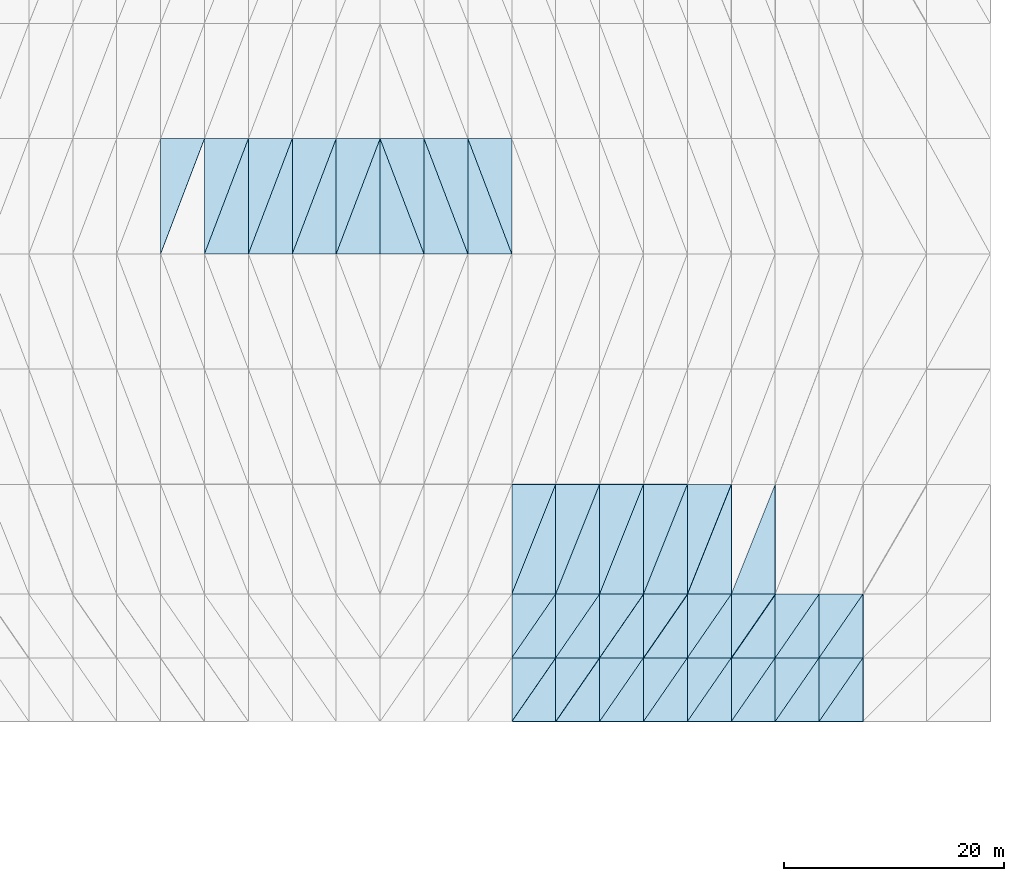
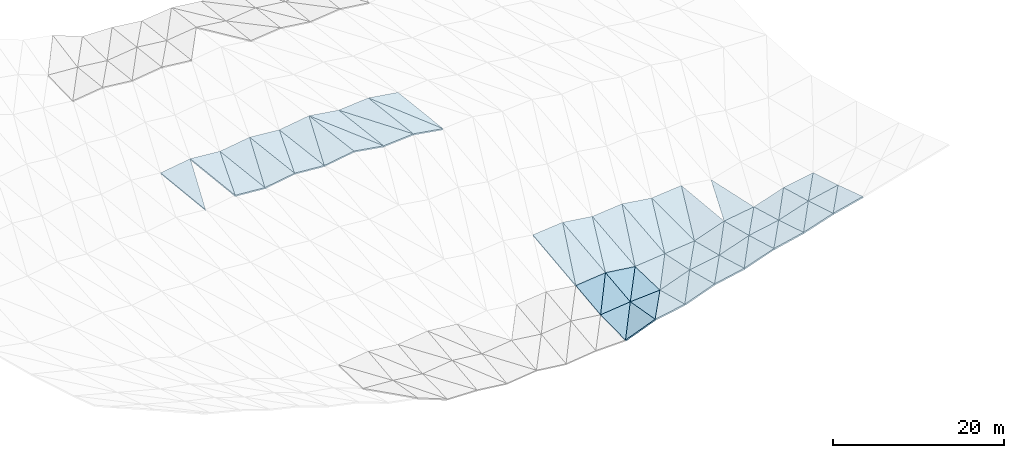
# One storey, part 27 of 42: 58 slabs, 3 elements without a shape of their own.
"""IFC4 building model written with IfcOpenShell, lengths in metres."""

from ifc_helpers import new_model, si_unit, direction, frame, origin, place, context, subcontext, project, spatial, polyline, outline, extrude, material, layer, layer_set, type_object, element, aggregate, save


model = new_model("IFC4")

# Units and contexts
model_context = context("Model", 3, precision=1e-05, world=origin(), true_north=direction((0.0, 1.0)))
body_context = subcontext(model_context, "Body", "Model", "MODEL_VIEW")
ifc_project = project(units=[si_unit("LENGTHUNIT", "METRE"), si_unit("AREAUNIT", "SQUARE_METRE"), si_unit("VOLUMEUNIT", "CUBIC_METRE"), si_unit("PLANEANGLEUNIT", "RADIAN"), si_unit("MASSUNIT", "GRAM", prefix="KILO")], contexts=[model_context])

# Site, building, storey
site_placement = place(None, origin())
site = spatial("IfcSite", under=ifc_project, at=site_placement, CompositionType="ELEMENT")
building_placement = place(site_placement, origin())
building = spatial("IfcBuilding", under=site, at=building_placement, Name="Khorjan Park Terminus", CompositionType="ELEMENT")
storey_placement = place(building_placement, frame((0.0, 0.0, 20.4)))
storey = spatial("IfcBuildingStorey", under=building, at=storey_placement, Name="L04", CompositionType="ELEMENT", Elevation=20.4)

# Roof, slabs
ifc_material = material(Name="Concrete C50/60", Category="concrete")
ifc_layer_1 = layer(ifc_material, 0.18)
ifc_layer_set_1 = layer_set([ifc_layer_1], Name="Concrete C50/60")
roof_type = type_object("IfcRoofType", Name="RF-SHELL-UPPER", PredefinedType="FREEFORM", material=ifc_layer_set_1)
roof_1_placement = place(storey_placement, origin())
roof_1 = element("IfcRoof", 1, at=roof_1_placement, inside=storey, type_object=roof_type, Name="Upper concourse upturned-corner folded concrete shell roof RF-CS1 (2)", PredefinedType="FREEFORM")
ifc_layer_2 = layer(ifc_material, 0.18)
ifc_layer_set_2 = layer_set([ifc_layer_2], Name="Concrete C50/60")
slab_type = type_object("IfcSlabType", Name="SL-SHL-180", PredefinedType="ROOF", material=ifc_layer_set_2)
slab_1_placement = place(storey_placement, frame((72.0, 57.0, 4.7065), z_axis=(-0.149595752016, 0.104473330219, 0.983212303753), x_axis=(0.355633328638, 0.933537487675, -0.045085415238)))
slab_1 = element("IfcSlab", 2, at=slab_1_placement, type_object=slab_type, Name="Upper concourse folded concrete shell facet RS-18 (172)", PredefinedType="ROOF", context=body_context, shape_type="SweptSolid", body=[
    extrude(outline(polyline([(0.0, 0.0), (11.24753974920738, -1.6653345369377348e-16), (9.852445418368871, 3.7979080778847525), (0.0, 0.0)])), origin(), (0.0, 0.0, -1.0), 0.18),
])
slab_2_placement = place(storey_placement, frame((76.0, 57.0, 5.3582), z_axis=(0.0748740157, 0.113395513215, 0.990724653653), x_axis=(0.997156385058, 0.0, -0.075360093801)))
slab_2 = element("IfcSlab", 3, at=slab_2_placement, type_object=slab_type, Name="Upper concourse folded concrete shell facet RS-18 (191)", PredefinedType="ROOF", context=body_context, shape_type="SweptSolid", body=[
    extrude(outline(polyline([(0.0, 0.0), (4.011406896588777, 0.0), (4.101974657318546, 10.56816543780028), (0.0, 0.0)])), origin(), (0.0, 0.0, -1.0), 0.18),
])
slab_3_placement = place(storey_placement, frame((76.0, 57.0, 5.3582), z_axis=(0.085489919992, 0.109294299545, 0.990326324838), x_axis=(0.352847963163, 0.926225903302, -0.132679655348)))
slab_3 = element("IfcSlab", 4, at=slab_3_placement, type_object=slab_type, Name="Upper concourse folded concrete shell facet RS-18 (192)", PredefinedType="ROOF", context=body_context, shape_type="SweptSolid", body=[
    extrude(outline(polyline([(0.0, 0.0), (11.336327306936758, 4.787836793695988e-16), (9.879121169293597, 3.741093738790182), (0.0, 0.0)])), origin(), (0.0, 0.0, -1.0), 0.18),
])
slab_4_placement = place(storey_placement, frame((80.0, 57.0, 5.0559), z_axis=(-0.159714927938, 0.116225908088, 0.980297240679), x_axis=(0.986986239924, 0.0, 0.16080473314)))
slab_4 = element("IfcSlab", 5, at=slab_4_placement, type_object=slab_type, Name="Upper concourse folded concrete shell facet RS-18 (211)", PredefinedType="ROOF", context=body_context, shape_type="SweptSolid", body=[
    extrude(outline(polyline([(0.0, 0.0), (4.052741404284266, 0.0), (3.852555591998697, 10.571646118299626), (0.0, 0.0)])), origin(), (0.0, 0.0, -1.0), 0.18),
])
slab_5_placement = place(storey_placement, frame((80.0, 57.0, 5.0559), z_axis=(-0.149465057084, 0.112437353867, 0.982353316361), x_axis=(0.355500244035, 0.933188140591, -0.05272068619)))
slab_5 = element("IfcSlab", 6, at=slab_5_placement, type_object=slab_type, Name="Upper concourse folded concrete shell facet RS-18 (212)", PredefinedType="ROOF", context=body_context, shape_type="SweptSolid", body=[
    extrude(outline(polyline([(0.0, 0.0), (11.251750363387911, 4.163336342344337e-17), (9.861835196865226, 3.7998065463744615), (0.0, 0.0)])), origin(), (0.0, 0.0, -1.0), 0.18),
])
slab_6_placement = place(storey_placement, frame((84.0, 57.0, 5.7076), z_axis=(0.074802671681, 0.121403665054, 0.989780637526), x_axis=(0.997156385058, 0.0, -0.075360093801)))
slab_6 = element("IfcSlab", 7, at=slab_6_placement, type_object=slab_type, Name="Upper concourse folded concrete shell facet RS-18 (231)", PredefinedType="ROOF", context=body_context, shape_type="SweptSolid", body=[
    extrude(outline(polyline([(0.0, 0.0), (4.0114068965887775, 0.0), (4.108463161394794, 10.578244962727132), (0.0, 0.0)])), origin(), (0.0, 0.0, -1.0), 0.18),
])
slab_7_placement = place(storey_placement, frame((84.0, 57.0, 5.7076), z_axis=(0.085411333623, 0.117307042022, 0.989415970146), x_axis=(0.352482785821, 0.925267312781, -0.140129531503)))
slab_7 = element("IfcSlab", 8, at=slab_7_placement, type_object=slab_type, Name="Upper concourse folded concrete shell facet RS-18 (232)", PredefinedType="ROOF", context=body_context, shape_type="SweptSolid", body=[
    extrude(outline(polyline([(0.0, 0.0), (11.348071908478552, 2.7755575615628914e-16), (9.889754037965623, 3.7406605136717026), (0.0, 0.0)])), origin(), (0.0, 0.0, -1.0), 0.18),
])
slab_8_placement = place(storey_placement, frame((88.0, 57.0, 5.4053), z_axis=(-0.159560773684, 0.124144407534, 0.979351073711), x_axis=(0.986986239924, 0.0, 0.16080473314)))
slab_8 = element("IfcSlab", 9, at=slab_8_placement, type_object=slab_type, Name="Upper concourse folded concrete shell facet RS-18 (251)", PredefinedType="ROOF", context=body_context, shape_type="SweptSolid", body=[
    extrude(outline(polyline([(0.0, 0.0), (4.052741404284266, 0.0), (3.8387103044753723, 10.581859557200454), (0.0, 0.0)])), origin(), (0.0, 0.0, -1.0), 0.18),
])
slab_9_placement = place(storey_placement, frame((88.0, 57.0, 5.4053), z_axis=(-0.149325031934, 0.120379768479, 0.981433006465), x_axis=(0.355346517476, 0.932784608375, -0.06034672233)))
slab_9 = element("IfcSlab", 10, at=slab_9_placement, type_object=slab_type, Name="Upper concourse folded concrete shell facet RS-18 (252)", PredefinedType="ROOF", context=body_context, shape_type="SweptSolid", body=[
    extrude(outline(polyline([(0.0, 0.0), (11.256617986322533, -7.077671781985373e-16), (9.871958931627898, 3.801725037696987), (0.0, 0.0)])), origin(), (0.0, 0.0, -1.0), 0.18),
])
slab_10_placement = place(storey_placement, frame((92.0, 57.0, 6.057), z_axis=(0.159560773684, 0.124144407534, 0.979351073711), x_axis=(0.986986239924, 0.0, -0.16080473314)))
slab_10 = element("IfcSlab", 11, at=slab_10_placement, type_object=slab_type, Name="Upper concourse folded concrete shell facet RS-18 (271)", PredefinedType="ROOF", context=body_context, shape_type="SweptSolid", body=[
    extrude(outline(polyline([(0.0, 0.0), (4.052741404284266, 0.0), (0.21403109980889376, 10.581859557200454), (0.0, 0.0)])), origin(), (0.0, 0.0, -1.0), 0.18),
])
slab_11_placement = place(storey_placement, frame((96.0, 57.0, 5.4053), z_axis=(0.149325031934, 0.120379768479, 0.981433006465), x_axis=(0.0, 0.992561441781, -0.121744750559)))
slab_11 = element("IfcSlab", 12, at=slab_11_placement, type_object=slab_type, Name="Upper concourse folded concrete shell facet RS-18 (272)", PredefinedType="ROOF", context=body_context, shape_type="SweptSolid", body=[
    extrude(outline(polyline([(0.0, 0.0), (10.578690202950458, -5.551115123125783e-17), (10.504596347760202, 4.045355863286079), (0.0, 0.0)])), origin(), (0.0, 0.0, -1.0), 0.18),
])
aggregate(roof_1, [slab_1, slab_2, slab_3, slab_4, slab_5, slab_6, slab_7, slab_8, slab_9, slab_10, slab_11])

roof_2_placement = place(storey_placement, origin())
roof_2 = element("IfcRoof", 13, at=roof_2_placement, inside=storey, type_object=roof_type, Name="Upper concourse upturned-corner folded concrete shell roof RF-CS1 (3)", PredefinedType="FREEFORM")
slab_12_placement = place(storey_placement, frame((96.0, 57.0, 5.4053), z_axis=(-0.074802671681, 0.121403665054, 0.989780637526), x_axis=(0.997156385058, 0.0, 0.075360093801)))
slab_12 = element("IfcSlab", 14, at=slab_12_placement, type_object=slab_type, Name="Upper concourse folded concrete shell facet RS-18 (291)", PredefinedType="ROOF", context=body_context, shape_type="SweptSolid", body=[
    extrude(outline(polyline([(0.0, 0.0), (4.0114068965887775, 0.0), (-0.09705626480601703, 10.578244962727132), (0.0, 0.0)])), origin(), (0.0, 0.0, -1.0), 0.18),
])
slab_13_placement = place(storey_placement, frame((100.0, 57.0, 5.7076), z_axis=(-0.085411333623, 0.117307042022, 0.989415970146), x_axis=(0.0, 0.99304477884, -0.117737280493)))
slab_13 = element("IfcSlab", 15, at=slab_13_placement, type_object=slab_type, Name="Upper concourse folded concrete shell facet RS-18 (292)", PredefinedType="ROOF", context=body_context, shape_type="SweptSolid", body=[
    extrude(outline(polyline([(0.0, 0.0), (10.573541318309585, 0.0), (10.61419600126388, 4.014670507869093), (0.0, 0.0)])), origin(), (0.0, 0.0, -1.0), 0.18),
])
slab_14_placement = place(storey_placement, frame((100.0, 57.0, 5.7076), z_axis=(0.159714927938, 0.116225908088, 0.980297240679), x_axis=(0.986986239924, 0.0, -0.16080473314)))
slab_14 = element("IfcSlab", 16, at=slab_14_placement, type_object=slab_type, Name="Upper concourse folded concrete shell facet RS-18 (311)", PredefinedType="ROOF", context=body_context, shape_type="SweptSolid", body=[
    extrude(outline(polyline([(0.0, 0.0), (4.052741404284266, 0.0), (0.2001858122855689, 10.571646118299626), (0.0, 0.0)])), origin(), (0.0, 0.0, -1.0), 0.18),
])
slab_15_placement = place(storey_placement, frame((104.0, 57.0, 5.0559), z_axis=(0.149465057084, 0.112437353867, 0.982353316361), x_axis=(0.0, 0.993513444635, -0.113714710263)))
slab_15 = element("IfcSlab", 17, at=slab_15_placement, type_object=slab_type, Name="Upper concourse folded concrete shell facet RS-18 (312)", PredefinedType="ROOF", context=body_context, shape_type="SweptSolid", body=[
    extrude(outline(polyline([(0.0, 0.0), (10.56855350745787, 0.0), (10.499346734791782, 4.045442421122459), (0.0, 0.0)])), origin(), (0.0, 0.0, -1.0), 0.18),
])
slab_16_placement = place(storey_placement, frame((104.0, 14.4, 0.7589), z_axis=(-0.360874271087, 0.163681902497, 0.918138331224), x_axis=(0.930690394254, 0.0, 0.365807859461)))
slab_16 = element("IfcSlab", 18, at=slab_16_placement, type_object=slab_type, Name="Upper concourse folded concrete shell facet RS-18 (321)", PredefinedType="ROOF", context=body_context, shape_type="SweptSolid", body=[
    extrude(outline(polyline([(0.0, 0.0), (4.29788469366036, 0.0), (3.9196393669772256, 5.879293024917398), (0.0, 0.0)])), origin(), (0.0, 0.0, -1.0), 0.18),
])
slab_17_placement = place(storey_placement, frame((104.0, 14.4, 0.7589), z_axis=(-0.112567782973, -0.014560461321, 0.993537360748), x_axis=(0.566083752706, 0.820821441423, 0.076166568927)))
slab_17 = element("IfcSlab", 19, at=slab_17_placement, type_object=slab_type, Name="Upper concourse folded concrete shell facet RS-18 (322)", PredefinedType="ROOF", context=body_context, shape_type="SweptSolid", body=[
    extrude(outline(polyline([(0.0, 0.0), (7.066092218475498, 0.0), (4.7672385186146995, 3.3046424778841526), (0.0, 0.0)])), origin(), (0.0, 0.0, -1.0), 0.18),
])
slab_18_placement = place(storey_placement, frame((104.0, 20.2, 0.8439), z_axis=(-0.111909060679, -0.108990167749, 0.987723395224), x_axis=(0.993642695952, 0.0, 0.112579717451)))
slab_18 = element("IfcSlab", 20, at=slab_18_placement, type_object=slab_type, Name="Upper concourse folded concrete shell facet RS-18 (323)", PredefinedType="ROOF", context=body_context, shape_type="SweptSolid", body=[
    extrude(outline(polyline([(0.0, 0.0), (4.025591911756581, 0.0), (4.097642930925445, 5.834758662587232), (0.0, 0.0)])), origin(), (0.0, 0.0, -1.0), 0.18),
])
slab_19_placement = place(storey_placement, frame((104.0, 20.2, 0.8439), z_axis=(-0.106052306747, -0.113064775579, 0.987911567276), x_axis=(0.5610198258, 0.81347874741, 0.153326718391)))
slab_19 = element("IfcSlab", 21, at=slab_19_placement, type_object=slab_type, Name="Upper concourse folded concrete shell facet RS-18 (324)", PredefinedType="ROOF", context=body_context, shape_type="SweptSolid", body=[
    extrude(outline(polyline([(0.0, 0.0), (7.129872806719626, 0.0), (4.819955010643627, 3.293731035675408), (0.0, 0.0)])), origin(), (0.0, 0.0, -1.0), 0.18),
])
slab_20_placement = place(storey_placement, frame((104.0, 26.0, 1.5077), z_axis=(-0.106099902811, -0.109074851181, 0.988354940021), x_axis=(0.994287316425, 0.0, 0.106736743418)))
slab_20 = element("IfcSlab", 22, at=slab_20_placement, type_object=slab_type, Name="Upper concourse folded concrete shell facet RS-18 (325)", PredefinedType="ROOF", context=body_context, shape_type="SweptSolid", body=[
    extrude(outline(polyline([(0.0, 0.0), (4.022982023325484, 6.938893903907228e-18), (4.140776693361886, 10.06002273236552), (0.0, 0.0)])), origin(), (0.0, 0.0, -1.0), 0.18),
])
slab_21_placement = place(storey_placement, frame((104.0, 26.0, 1.5077), z_axis=(-0.096024334606, -0.113192022029, 0.988922086573), x_axis=(0.367684817176, 0.919212042939, 0.140915206183)))
slab_21 = element("IfcSlab", 23, at=slab_21_placement, type_object=slab_type, Name="Upper concourse folded concrete shell facet RS-18 (326)", PredefinedType="ROOF", context=body_context, shape_type="SweptSolid", body=[
    extrude(outline(polyline([(0.0, 0.0), (10.87888270917561, 6.245004513516506e-16), (9.353411974391156, 3.718036255513949), (0.0, 0.0)])), origin(), (0.0, 0.0, -1.0), 0.18),
])
slab_22_placement = place(storey_placement, frame((108.0, 14.4, 2.3311), z_axis=(-0.177038961691, 0.248427917344, 0.952334382414), x_axis=(0.983155941904, 0.0, 0.1827686896)))
slab_22 = element("IfcSlab", 24, at=slab_22_placement, type_object=slab_type, Name="Upper concourse folded concrete shell facet RS-18 (341)", PredefinedType="ROOF", context=body_context, shape_type="SweptSolid", body=[
    extrude(outline(polyline([(0.0, 0.0), (4.0685305652041, -2.7755575615628914e-17), (3.792001537839265, 5.98771247614852), (0.0, 0.0)])), origin(), (0.0, 0.0, -1.0), 0.18),
])
slab_23_placement = place(storey_placement, frame((108.0, 14.4, 2.3311), z_axis=(-0.064985555279, 0.175137655168, 0.9823969052), x_axis=(0.564377717096, 0.818347689789, -0.108558053883)))
slab_23 = element("IfcSlab", 25, at=slab_23_placement, type_object=slab_type, Name="Upper concourse folded concrete shell facet RS-18 (342)", PredefinedType="ROOF", context=body_context, shape_type="SweptSolid", body=[
    extrude(outline(polyline([(0.0, 0.0), (7.087452035816538, -9.71445146547012e-17), (4.858665628490946, 3.3320450642992037), (0.0, 0.0)])), origin(), (0.0, 0.0, -1.0), 0.18),
])
slab_24_placement = place(storey_placement, frame((108.0, 20.2, 1.2971), z_axis=(-0.065984038894, 0.02564240154, 0.997491139737), x_axis=(0.9978192431, 0.0, 0.066005742931)))
slab_24 = element("IfcSlab", 26, at=slab_24_placement, type_object=slab_type, Name="Upper concourse folded concrete shell facet RS-18 (343)", PredefinedType="ROOF", context=body_context, shape_type="SweptSolid", body=[
    extrude(outline(polyline([(0.0, 0.0), (4.008742091978481, 0.0), (3.9989006357074612, 5.801907785869961), (0.0, 0.0)])), origin(), (0.0, 0.0, -1.0), 0.18),
])
slab_25_placement = place(storey_placement, frame((108.0, 20.2, 1.2971), z_axis=(0.129240848662, -0.108759269115, 0.985630876352), x_axis=(0.567656684919, 0.823102193133, 0.016391086777)))
slab_25 = element("IfcSlab", 27, at=slab_25_placement, type_object=slab_type, Name="Upper concourse folded concrete shell facet RS-18 (344)", PredefinedType="ROOF", context=body_context, shape_type="SweptSolid", body=[
    extrude(outline(polyline([(0.0, 0.0), (7.046512630372559, -9.367506770274758e-17), (4.784483015709504, 3.3404075009476477), (0.0, 0.0)])), origin(), (0.0, 0.0, -1.0), 0.18),
])
slab_26_placement = place(storey_placement, frame((108.0, 26.0, 1.9371), z_axis=(0.129296562472, -0.104768425264, 0.986055767186), x_axis=(0.9915124119, 0.0, -0.13001206501)))
slab_26 = element("IfcSlab", 28, at=slab_26_placement, type_object=slab_type, Name="Upper concourse folded concrete shell facet RS-18 (345)", PredefinedType="ROOF", context=body_context, shape_type="SweptSolid", body=[
    extrude(outline(polyline([(0.0, 0.0), (4.034240975697907, 6.938893903907228e-18), (3.896103156624372, 10.055338094412422), (0.0, 0.0)])), origin(), (0.0, 0.0, -1.0), 0.18),
])
slab_27_placement = place(storey_placement, frame((108.0, 26.0, 1.9371), z_axis=(0.139178804369, -0.108626399223, 0.984291402892), x_axis=(0.370928193379, 0.927320483447, 0.049889842009)))
slab_27 = element("IfcSlab", 29, at=slab_27_placement, type_object=slab_type, Name="Upper concourse folded concrete shell facet RS-18 (346)", PredefinedType="ROOF", context=body_context, shape_type="SweptSolid", body=[
    extrude(outline(polyline([(0.0, 0.0), (10.783758342989703, -2.7755575615628914e-16), (9.328263264114586, 3.768479459327106), (0.0, 0.0)])), origin(), (0.0, 0.0, -1.0), 0.18),
])
slab_28_placement = place(storey_placement, frame((112.0, 14.4, 3.0747), z_axis=(-0.338798545373, 0.237295940621, 0.910442849507), x_axis=(0.937212055598, 0.0, 0.348760036189)))
slab_28 = element("IfcSlab", 30, at=slab_28_placement, type_object=slab_type, Name="Upper concourse folded concrete shell facet RS-18 (361)", PredefinedType="ROOF", context=body_context, shape_type="SweptSolid", body=[
    extrude(outline(polyline([(0.0, 0.0), (4.267977536257661, 0.0), (3.740756989550415, 5.9705339279774385), (0.0, 0.0)])), origin(), (0.0, 0.0, -1.0), 0.18),
])
slab_29_placement = place(storey_placement, frame((112.0, 14.4, 3.0747), z_axis=(-0.339044014736, 0.237464688292, 0.91030746338), x_axis=(0.567729877902, 0.823208322958, -0.003292833292)))
slab_29 = element("IfcSlab", 31, at=slab_29_placement, type_object=slab_type, Name="Upper concourse folded concrete shell facet RS-18 (362)", PredefinedType="ROOF", context=body_context, shape_type="SweptSolid", body=[
    extrude(outline(polyline([(0.0, 0.0), (7.045604178493139, 5.377642775528102e-17), (4.779590329924291, 3.6172759471865277), (0.0, 0.0)])), origin(), (0.0, 0.0, -1.0), 0.18),
])
slab_30_placement = place(storey_placement, frame((112.0, 20.2, 1.5617), z_axis=(-0.342548023853, 0.191792388171, 0.919715462083), x_axis=(0.937112467786, 0.0, 0.349027538627)))
slab_30 = element("IfcSlab", 32, at=slab_30_placement, type_object=slab_type, Name="Upper concourse folded concrete shell facet RS-18 (363)", PredefinedType="ROOF", context=body_context, shape_type="SweptSolid", body=[
    extrude(outline(polyline([(0.0, 0.0), (4.268431098190528, 0.0), (3.8462822902212808, 5.909710706450033), (0.0, 0.0)])), origin(), (0.0, 0.0, -1.0), 0.18),
])
slab_31_placement = place(storey_placement, frame((112.0, 20.2, 1.5617), z_axis=(-0.106701894098, 0.025551695887, 0.993962683723), x_axis=(0.5672841966, 0.82256208507, 0.039752440077)))
slab_31 = element("IfcSlab", 33, at=slab_31_placement, type_object=slab_type, Name="Upper concourse folded concrete shell facet RS-18 (364)", PredefinedType="ROOF", context=body_context, shape_type="SweptSolid", body=[
    extrude(outline(polyline([(0.0, 0.0), (7.051139488763502, 4.753142324176451e-16), (4.764933004593253, 3.310233265456971), (0.0, 0.0)])), origin(), (0.0, 0.0, -1.0), 0.18),
])
slab_32_placement = place(storey_placement, frame((112.0, 26.0, 1.4126), z_axis=(-0.106190432068, -0.101046601172, 0.989198249356), x_axis=(0.994287316425, 0.0, 0.106736743418)))
slab_32 = element("IfcSlab", 34, at=slab_32_placement, type_object=slab_type, Name="Upper concourse folded concrete shell facet RS-18 (365)", PredefinedType="ROOF", context=body_context, shape_type="SweptSolid", body=[
    extrude(outline(polyline([(0.0, 0.0), (4.022982023325484, 6.938893903907228e-18), (4.132013606727246, 10.051446381681638), (0.0, 0.0)])), origin(), (0.0, 0.0, -1.0), 0.18),
])
slab_33_placement = place(storey_placement, frame((112.0, 26.0, 1.4126), z_axis=(-0.096109530431, -0.10516619576, 0.989799489508), x_axis=(0.368065952673, 0.920164881682, 0.133506722683)))
slab_33 = element("IfcSlab", 35, at=slab_33_placement, type_object=slab_type, Name="Upper concourse folded concrete shell facet RS-18 (366)", PredefinedType="ROOF", context=body_context, shape_type="SweptSolid", body=[
    extrude(outline(polyline([(0.0, 0.0), (10.86761753145555, 2.914335439641036e-16), (9.343499709673726, 3.7185910537900018), (0.0, 0.0)])), origin(), (0.0, 0.0, -1.0), 0.18),
])
slab_34_placement = place(storey_placement, frame((116.0, 14.4, 4.5632), z_axis=(-0.19504550156, 0.26948354163, 0.94304606097), x_axis=(0.979274319101, 0.0, 0.202538411048)))
slab_34 = element("IfcSlab", 36, at=slab_34_placement, type_object=slab_type, Name="Upper concourse folded concrete shell facet RS-18 (381)", PredefinedType="ROOF", context=body_context, shape_type="SweptSolid", body=[
    extrude(outline(polyline([(0.0, 0.0), (4.084657303862834, -2.7755575615628914e-17), (3.7489701413918732, 6.0228140340668155), (0.0, 0.0)])), origin(), (0.0, 0.0, -1.0), 0.18),
])
slab_35_placement = place(storey_placement, frame((116.0, 14.4, 4.5632), z_axis=(-0.162694380811, 0.248851683131, 0.954779230113), x_axis=(0.563833084628, 0.81755797271, -0.117009460887)))
slab_35 = element("IfcSlab", 37, at=slab_35_placement, type_object=slab_type, Name="Upper concourse folded concrete shell facet RS-18 (382)", PredefinedType="ROOF", context=body_context, shape_type="SweptSolid", body=[
    extrude(outline(polyline([(0.0, 0.0), (7.094298133712735, 1.942890293094024e-16), (4.918719443742646, 3.4251183809830623), (0.0, 0.0)])), origin(), (0.0, 0.0, -1.0), 0.18),
])
slab_36_placement = place(storey_placement, frame((116.0, 20.2, 3.0515), z_axis=(-0.162921516608, 0.243528367821, 0.956112186667), x_axis=(0.985790621278, 0.0, 0.167978721866)))
slab_36 = element("IfcSlab", 38, at=slab_36_placement, type_object=slab_type, Name="Upper concourse folded concrete shell facet RS-18 (383)", PredefinedType="ROOF", context=body_context, shape_type="SweptSolid", body=[
    extrude(outline(polyline([(0.0, 0.0), (4.057656781937083, 2.7755575615628914e-17), (3.809501816124695, 5.980036321205973), (0.0, 0.0)])), origin(), (0.0, 0.0, -1.0), 0.18),
])
slab_37_placement = place(storey_placement, frame((116.0, 20.2, 3.0515), z_axis=(-0.100756100536, 0.203104120929, 0.973959405862), x_axis=(0.564146622054, 0.818012601978, -0.112222866792)))
slab_37 = element("IfcSlab", 39, at=slab_37_placement, type_object=slab_type, Name="Upper concourse folded concrete shell facet RS-18 (384)", PredefinedType="ROOF", context=body_context, shape_type="SweptSolid", body=[
    extrude(outline(polyline([(0.0, 0.0), (7.09035531479206, 2.7755575615628914e-16), (4.880206648856045, 3.3595346871942335), (0.0, 0.0)])), origin(), (0.0, 0.0, -1.0), 0.18),
])
slab_38_placement = place(storey_placement, frame((116.0, 26.0, 1.842), z_axis=(-0.102899945668, -0.004187614995, 0.994682896738), x_axis=(0.994691618291, 0.0, 0.102900847912)))
slab_38 = element("IfcSlab", 40, at=slab_38_placement, type_object=slab_type, Name="Upper concourse folded concrete shell facet RS-18 (385)", PredefinedType="ROOF", context=body_context, shape_type="SweptSolid", body=[
    extrude(outline(polyline([(0.0, 0.0), (4.021346844031238, 2.168404344971009e-19), (4.025678969728344, 10.000087681749944), (0.0, 0.0)])), origin(), (0.0, 0.0, -1.0), 0.18),
])
slab_39_placement = place(storey_placement, frame((116.0, 26.0, 1.842), z_axis=(0.139296582326, -0.100630451801, 0.985124344599), x_axis=(0.371058400288, 0.927646000721, 0.042291381173)))
slab_39 = element("IfcSlab", 41, at=slab_39_placement, type_object=slab_type, Name="Upper concourse folded concrete shell facet RS-18 (386)", PredefinedType="ROOF", context=body_context, shape_type="SweptSolid", body=[
    extrude(outline(polyline([(0.0, 0.0), (10.7799742490416, -1.1102230246251565e-16), (9.319660653079202, 3.7666148676825677), (0.0, 0.0)])), origin(), (0.0, 0.0, -1.0), 0.18),
])
slab_40_placement = place(storey_placement, frame((120.0, 14.4, 5.3905), z_axis=(-0.320059797691, 0.258912563151, 0.911331997981), x_axis=(0.943504791133, 0.0, 0.331358882646)))
slab_40 = element("IfcSlab", 42, at=slab_40_placement, type_object=slab_type, Name="Upper concourse folded concrete shell facet RS-18 (401)", PredefinedType="ROOF", context=body_context, shape_type="SweptSolid", body=[
    extrude(outline(polyline([(0.0, 0.0), (4.239512122874517, 0.0), (3.693498956050389, 6.004757652200018), (0.0, 0.0)])), origin(), (0.0, 0.0, -1.0), 0.18),
])
slab_41_placement = place(storey_placement, frame((120.0, 14.4, 5.3905), z_axis=(-0.321894998392, 0.260136512295, 0.910336533915), x_axis=(0.567395584892, 0.822723598093, -0.034469281782)))
slab_41 = element("IfcSlab", 43, at=slab_41_placement, type_object=slab_type, Name="Upper concourse folded concrete shell facet RS-18 (402)", PredefinedType="ROOF", context=body_context, shape_type="SweptSolid", body=[
    extrude(outline(polyline([(0.0, 0.0), (7.049755243978333, -4.163336342344337e-17), (4.828926256564466, 3.615030562618012), (0.0, 0.0)])), origin(), (0.0, 0.0, -1.0), 0.18),
])
slab_42_placement = place(storey_placement, frame((120.0, 20.2, 3.7331), z_axis=(-0.324182150725, 0.233184539685, 0.916804724902), x_axis=(0.942795230781, 0.0, 0.333372393604)))
slab_42 = element("IfcSlab", 44, at=slab_42_placement, type_object=slab_type, Name="Upper concourse folded concrete shell facet RS-18 (403)", PredefinedType="ROOF", context=body_context, shape_type="SweptSolid", body=[
    extrude(outline(polyline([(0.0, 0.0), (4.242702836636099, 5.551115123125783e-17), (3.7509118815914277, 5.964424255243439), (0.0, 0.0)])), origin(), (0.0, 0.0, -1.0), 0.18),
])
slab_43_placement = place(storey_placement, frame((120.0, 20.2, 3.7331), z_axis=(-0.324587654526, 0.233461953105, 0.916590623442), x_axis=(0.567711817738, 0.82318213572, -0.00862921963)))
slab_43 = element("IfcSlab", 45, at=slab_43_placement, type_object=slab_type, Name="Upper concourse folded concrete shell facet RS-18 (404)", PredefinedType="ROOF", context=body_context, shape_type="SweptSolid", body=[
    extrude(outline(polyline([(0.0, 0.0), (7.045828314683804, -7.216449660063518e-16), (4.787204333336599, 3.5923655104795915), (0.0, 0.0)])), origin(), (0.0, 0.0, -1.0), 0.18),
])
slab_44_placement = place(storey_placement, frame((120.0, 26.0, 2.2558), z_axis=(-0.332379965278, 0.092536084086, 0.93859503079), x_axis=(0.942639584618, 0.0, 0.333812242903)))
slab_44 = element("IfcSlab", 46, at=slab_44_placement, type_object=slab_type, Name="Upper concourse folded concrete shell facet RS-18 (405)", PredefinedType="ROOF", context=body_context, shape_type="SweptSolid", body=[
    extrude(outline(polyline([(0.0, 0.0), (4.243403380542557, 0.0), (3.914297890264742, 10.043091575121132), (0.0, 0.0)])), origin(), (0.0, 0.0, -1.0), 0.18),
])
slab_45_placement = place(storey_placement, frame((120.0, 26.0, 2.2558), z_axis=(-0.096669264145, -0.004190245581, 0.995307738949), x_axis=(0.371094213145, 0.927735532861, 0.039948292045)))
slab_45 = element("IfcSlab", 47, at=slab_45_placement, type_object=slab_type, Name="Upper concourse folded concrete shell facet RS-18 (406)", PredefinedType="ROOF", context=body_context, shape_type="SweptSolid", body=[
    extrude(outline(polyline([(0.0, 0.0), (10.778933915745101, 1.942890293094024e-16), (9.279037151707612, 3.7284369308370873), (0.0, 0.0)])), origin(), (0.0, 0.0, -1.0), 0.18),
])
aggregate(roof_2, [slab_12, slab_13, slab_14, slab_15, slab_16, slab_17, slab_18, slab_19, slab_20, slab_21, slab_22, slab_23, slab_24, slab_25, slab_26, slab_27, slab_28, slab_29, slab_30, slab_31, slab_32, slab_33, slab_34, slab_35, slab_36, slab_37, slab_38, slab_39, slab_40, slab_41, slab_42, slab_43, slab_44, slab_45])

roof_3_placement = place(storey_placement, origin())
roof_3 = element("IfcRoof", 48, at=roof_3_placement, inside=storey, type_object=roof_type, Name="Upper concourse upturned-corner folded concrete shell roof RF-CS1 (4)", PredefinedType="FREEFORM")
slab_46_placement = place(storey_placement, frame((124.0, 14.4, 6.7953), z_axis=(-0.212692000557, 0.287442945906, 0.933883646793), x_axis=(0.975032187239, 0.0, 0.222063580644)))
slab_46 = element("IfcSlab", 49, at=slab_46_placement, type_object=slab_type, Name="Upper concourse folded concrete shell facet RS-18 (421)", PredefinedType="ROOF", context=body_context, shape_type="SweptSolid", body=[
    extrude(outline(polyline([(0.0, 0.0), (4.102428670921653, 0.0), (3.706000766756623, 6.055558104485442), (0.0, 0.0)])), origin(), (0.0, 0.0, -1.0), 0.18),
])
slab_47_placement = place(storey_placement, frame((124.0, 14.4, 6.7953), z_axis=(-0.182899528661, 0.268678318411, 0.945705939302), x_axis=(0.563412551479, 0.816948199644, -0.123133813126)))
slab_47 = element("IfcSlab", 50, at=slab_47_placement, type_object=slab_type, Name="Upper concourse folded concrete shell facet RS-18 (422)", PredefinedType="ROOF", context=body_context, shape_type="SweptSolid", body=[
    extrude(outline(polyline([(0.0, 0.0), (7.099593343283824, 9.43689570931383e-16), (4.941199455203438, 3.4554005243816888), (0.0, 0.0)])), origin(), (0.0, 0.0, -1.0), 0.18),
])
slab_48_placement = place(storey_placement, frame((124.0, 20.2, 5.1475), z_axis=(-0.183120010139, 0.264480198647, 0.946845967626), x_axis=(0.981807019959, 0.0, 0.18988147766)))
slab_48 = element("IfcSlab", 51, at=slab_48_placement, type_object=slab_type, Name="Upper concourse folded concrete shell facet RS-18 (423)", PredefinedType="ROOF", context=body_context, shape_type="SweptSolid", body=[
    extrude(outline(polyline([(0.0, 0.0), (4.074120390955574, -2.7755575615628914e-17), (3.7664934089983615, 6.014157434751098), (0.0, 0.0)])), origin(), (0.0, 0.0, -1.0), 0.18),
])
slab_49_placement = place(storey_placement, frame((124.0, 20.2, 5.1475), z_axis=(-0.150588125048, 0.243685768742, 0.958092095107), x_axis=(0.56367912846, 0.817334736267, -0.11928859556)))
slab_49 = element("IfcSlab", 52, at=slab_49_placement, type_object=slab_type, Name="Upper concourse folded concrete shell facet RS-18 (424)", PredefinedType="ROOF", context=body_context, shape_type="SweptSolid", body=[
    extrude(outline(polyline([(0.0, 0.0), (7.0962357803274845, -3.0531133177191805e-16), (4.916516006517182, 3.412343094951088), (0.0, 0.0)])), origin(), (0.0, 0.0, -1.0), 0.18),
])
slab_50_placement = place(storey_placement, frame((124.0, 26.0, 3.6723), z_axis=(-0.151788243329, 0.21054794217, 0.965727649617), x_axis=(0.987872255403, 0.0, 0.155268821743)))
slab_50 = element("IfcSlab", 53, at=slab_50_placement, type_object=slab_type, Name="Upper concourse folded concrete shell facet RS-18 (425)", PredefinedType="ROOF", context=body_context, shape_type="SweptSolid", body=[
    extrude(outline(polyline([(0.0, 0.0), (4.049106529840874, 0.0), (3.7105894446769354, 10.229304874870634), (0.0, 0.0)])), origin(), (0.0, 0.0, -1.0), 0.18),
])
slab_51_placement = place(storey_placement, frame((128.0, 14.4, 7.7063), z_axis=(-0.301256550335, 0.277934898247, 0.912138521945), x_axis=(0.949550910694, 0.0, 0.313612927029)))
slab_51 = element("IfcSlab", 54, at=slab_51_placement, type_object=slab_type, Name="Upper concourse folded concrete shell facet RS-18 (441)", PredefinedType="ROOF", context=body_context, shape_type="SweptSolid", body=[
    extrude(outline(polyline([(0.0, 0.0), (4.212517680675061, 0.0), (3.6582695547358384, 6.037893532093197), (0.0, 0.0)])), origin(), (0.0, 0.0, -1.0), 0.18),
])
slab_52_placement = place(storey_placement, frame((128.0, 14.4, 7.7063), z_axis=(-0.304722123634, 0.280183325236, 0.910297606076), x_axis=(0.566597847048, 0.82156687822, -0.063203989838)))
slab_52 = element("IfcSlab", 55, at=slab_52_placement, type_object=slab_type, Name="Upper concourse folded concrete shell facet RS-18 (442)", PredefinedType="ROOF", context=body_context, shape_type="SweptSolid", body=[
    extrude(outline(polyline([(0.0, 0.0), (7.059680902137149, -3.885780586188048e-16), (4.877919656336755, 3.61010233460542), (0.0, 0.0)])), origin(), (0.0, 0.0, -1.0), 0.18),
])
slab_53_placement = place(storey_placement, frame((128.0, 20.2, 5.9211), z_axis=(-0.306984365035, 0.254498742736, 0.917055608766), x_axis=(0.948279508814, 0.0, 0.317436565575)))
slab_53 = element("IfcSlab", 56, at=slab_53_placement, type_object=slab_type, Name="Upper concourse folded concrete shell facet RS-18 (443)", PredefinedType="ROOF", context=body_context, shape_type="SweptSolid", body=[
    extrude(outline(polyline([(0.0, 0.0), (4.218165596559718, 0.0), (3.7072197006096403, 5.997478341053995), (0.0, 0.0)])), origin(), (0.0, 0.0, -1.0), 0.18),
])
slab_54_placement = place(storey_placement, frame((128.0, 20.2, 5.9211), z_axis=(-0.309031581188, 0.255860824409, 0.915988384403), x_axis=(0.567314684787, 0.822606292941, -0.038378838426)))
slab_54 = element("IfcSlab", 57, at=slab_54_placement, type_object=slab_type, Name="Upper concourse folded concrete shell facet RS-18 (444)", PredefinedType="ROOF", context=body_context, shape_type="SweptSolid", body=[
    extrude(outline(polyline([(0.0, 0.0), (7.050760551883749, 4.579669976578771e-16), (4.833294055191721, 3.5922127701527353), (0.0, 0.0)])), origin(), (0.0, 0.0, -1.0), 0.18),
])
slab_55_placement = place(storey_placement, frame((132.0, 14.4, 9.0274), z_axis=(-0.230024559333, 0.302427397526, 0.925000741259), x_axis=(0.970444295595, 0.0, 0.241325235207)))
slab_55 = element("IfcSlab", 58, at=slab_55_placement, type_object=slab_type, Name="Upper concourse folded concrete shell facet RS-18 (461)", PredefinedType="ROOF", context=body_context, shape_type="SweptSolid", body=[
    extrude(outline(polyline([(0.0, 0.0), (4.121823393839188, 0.0), (3.6641983503161337, 6.084943139384336), (0.0, 0.0)])), origin(), (0.0, 0.0, -1.0), 0.18),
])
slab_56_placement = place(storey_placement, frame((132.0, 14.4, 9.0274), z_axis=(-0.202728499291, 0.285423457833, 0.936714793998), x_axis=(0.563140807519, 0.816554170903, -0.126931938015)))
slab_56 = element("IfcSlab", 59, at=slab_56_placement, type_object=slab_type, Name="Upper concourse folded concrete shell facet RS-18 (462)", PredefinedType="ROOF", context=body_context, shape_type="SweptSolid", body=[
    extrude(outline(polyline([(0.0, 0.0), (7.103019256626015, 2.7755575615628914e-16), (4.960341005289081, 3.4868849136797877), (0.0, 0.0)])), origin(), (0.0, 0.0, -1.0), 0.18),
])
slab_57_placement = place(storey_placement, frame((132.0, 20.2, 7.2601), z_axis=(-0.202924788483, 0.282288812043, 0.937621755728), x_axis=(0.977371995553, 0.0, 0.211527734137)))
slab_57 = element("IfcSlab", 60, at=slab_57_placement, type_object=slab_type, Name="Upper concourse folded concrete shell facet RS-18 (463)", PredefinedType="ROOF", context=body_context, shape_type="SweptSolid", body=[
    extrude(outline(polyline([(0.0, 0.0), (4.092607541653609, 2.7755575615628914e-17), (3.7232378123027203, 6.045889549358247), (0.0, 0.0)])), origin(), (0.0, 0.0, -1.0), 0.18),
])
slab_58_placement = place(storey_placement, frame((132.0, 20.2, 7.2601), z_axis=(-0.172989073563, 0.263379237329, 0.949055402899), x_axis=(0.563350778069, 0.8168586282, -0.124007590023)))
slab_58 = element("IfcSlab", 61, at=slab_58_placement, type_object=slab_type, Name="Upper concourse folded concrete shell facet RS-18 (464)", PredefinedType="ROOF", context=body_context, shape_type="SweptSolid", body=[
    extrude(outline(polyline([(0.0, 0.0), (7.10037183885464, -4.440892098500626e-16), (4.937382660462906, 3.442827998050476), (0.0, 0.0)])), origin(), (0.0, 0.0, -1.0), 0.18),
])
aggregate(roof_3, [slab_46, slab_47, slab_48, slab_49, slab_50, slab_51, slab_52, slab_53, slab_54, slab_55, slab_56, slab_57, slab_58])

save(model, "model.ifc")
